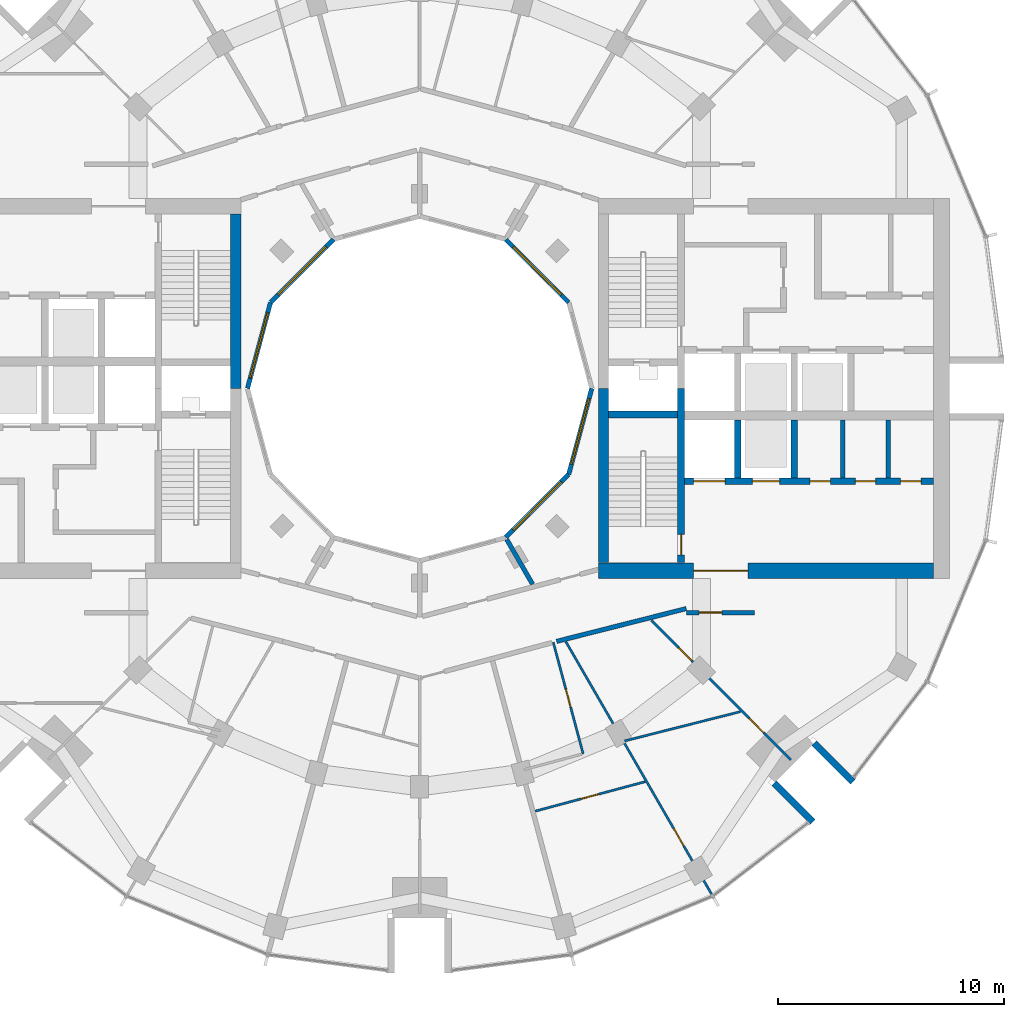
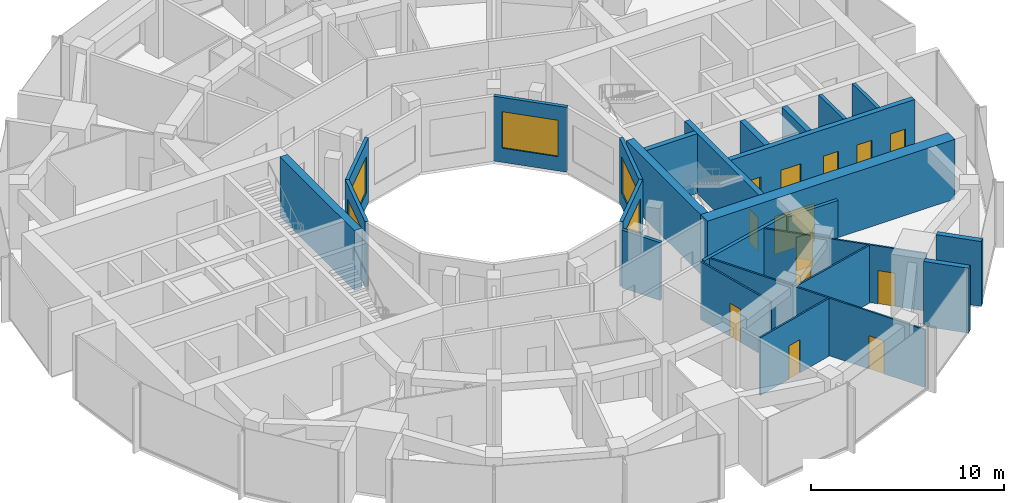
# One storey, part 10 of 15: 25 walls, 13 doors, 5 windows, 18 openings.
"""IFC4 building model written with IfcOpenShell, lengths in metres."""

import ifcopenshell
import ifcopenshell.guid

model = None  # the IFC model being written
_history = None  # IfcOwnerHistory: only IFC2X3 demands one
_inside = {}  # id of a spatial element -> (the spatial element, [elements in it])
_under = {}  # id of a project, library or spatial element -> (it, [spatial elements below it])
_declared = {}  # id of a project -> (the project, [libraries it declares])
_typed = {}  # id of a type object -> (the type object, [elements of that type])
_made_of = {}  # id of a material, layer set ... -> (it, [elements and type objects made of it])


def new_model(schema):
    """Start an empty IFC model of exactly this schema.

    Asked for "IFC4X3", IfcOpenShell would pick the latest addendum, in which some entities
    have other attributes; the version numbers below select the first issue.
    IFC2X3 requires an IfcOwnerHistory on every rooted entity: one is made here for all.
    """
    global model, _history
    if schema == "IFC4X3":
        model = ifcopenshell.file(schema_version=(4, 3, 0, 0))
    else:
        model = ifcopenshell.file(schema=schema)
    _inside.clear()
    _under.clear()
    _declared.clear()
    _typed.clear()
    _made_of.clear()
    _history = None
    if model.schema == "IFC2X3":
        org = make("IfcOrganization", Name="unknown")
        user = make(
            "IfcPersonAndOrganization",
            ThePerson=make("IfcPerson", FamilyName="unknown"),
            TheOrganization=org,
        )
        app = make(
            "IfcApplication",
            ApplicationDeveloper=org,
            Version="unknown",
            ApplicationFullName="unknown",
            ApplicationIdentifier="unknown",
        )
        _history = make(
            "IfcOwnerHistory",
            OwningUser=user,
            OwningApplication=app,
            ChangeAction="ADDED",
            CreationDate=0,
        )
    return model


def make(cls, **values):
    """One entity of the class cls with the attributes given. An attribute that is None is left unset."""
    return model.create_entity(
        cls, **{name: value for name, value in values.items() if value is not None}
    )


def rooted(cls, **values):
    """An entity with a GlobalId (a new one), such as an element, a storey or a relation."""
    return make(cls, GlobalId=ifcopenshell.guid.new(), OwnerHistory=_history, **values)


def si_unit(unit_type, name, prefix=None):
    """IfcSIUnit, for example si_unit("LENGTHUNIT", "METRE", prefix="MILLI")."""
    return make("IfcSIUnit", UnitType=unit_type, Prefix=prefix, Name=name)


def assignment(units):
    """IfcUnitAssignment: the units of a project."""
    return None if units is None else make("IfcUnitAssignment", Units=units)


def point(xyz):
    """IfcCartesianPoint."""
    return None if xyz is None else make("IfcCartesianPoint", Coordinates=xyz)


def direction(xyz):
    """IfcDirection."""
    return None if xyz is None else make("IfcDirection", DirectionRatios=xyz)


def frame(location, z_axis=None, x_axis=None):
    """IfcAxis2Placement3D, a coordinate frame: its origin and axes. An axis left out is left unset."""
    return make(
        "IfcAxis2Placement3D",
        Location=point(location),
        Axis=direction(z_axis),
        RefDirection=direction(x_axis),
    )


def frame_2d(location, x_axis=None):
    """IfcAxis2Placement2D, a coordinate frame in the plane: its origin and x axis."""
    return make(
        "IfcAxis2Placement2D", Location=point(location), RefDirection=direction(x_axis)
    )


def origin():
    """The frame at (0, 0, 0) with its axes left unset."""
    return frame((0.0, 0.0, 0.0))


def place(relative_to, where):
    """IfcLocalPlacement: puts the frame where relative to a parent placement (None: the world)."""
    return make(
        "IfcLocalPlacement", PlacementRelTo=relative_to, RelativePlacement=where
    )


def context(
    kind, dimensions, precision=None, world=None, true_north=None, identifier=None
):
    """IfcGeometricRepresentationContext, for example the 3D "Model" context."""
    return make(
        "IfcGeometricRepresentationContext",
        ContextIdentifier=identifier,
        ContextType=kind,
        CoordinateSpaceDimension=dimensions,
        Precision=precision,
        WorldCoordinateSystem=world,
        TrueNorth=true_north,
    )


def subcontext(parent, identifier, kind, view, scale=None):
    """IfcGeometricRepresentationSubContext, for example "Body" below "Model"."""
    return make(
        "IfcGeometricRepresentationSubContext",
        ContextIdentifier=identifier,
        ContextType=kind,
        ParentContext=parent,
        TargetScale=scale,
        TargetView=view,
    )


def project(units=None, contexts=None):
    """IfcProject with its units and contexts."""
    return rooted(
        "IfcProject",
        Name="project",
        RepresentationContexts=contexts,
        UnitsInContext=assignment(units),
    )


def spatial(cls, under=None, at=None, **own):
    """A site, building, storey or space (cls), placed at a placement, below another one or the project."""
    s = rooted(cls, ObjectPlacement=at, **own)
    if under is not None:
        _under.setdefault(under.id(), (under, []))[1].append(s)
    return s


def profile(cls, at=None, kind="AREA", **sizes):
    """A parametric profile (cls). Its sizes go by their IFC names, for example OverallWidth=200.0."""
    return make(cls, ProfileType=kind, Position=at, **sizes)


def rectangle(**sizes):
    """IfcRectangleProfileDef."""
    return profile("IfcRectangleProfileDef", **sizes)


def extrude(swept, where, along, depth):
    """IfcExtrudedAreaSolid: the profile swept, set in the frame where, extruded along a direction by depth."""
    return make(
        "IfcExtrudedAreaSolid",
        SweptArea=swept,
        Position=where,
        ExtrudedDirection=direction(along),
        Depth=depth,
    )


def shape(context_of_items, identifier, shape_type, items):
    """IfcShapeRepresentation: the items that make up one representation, for example the "Body"."""
    return make(
        "IfcShapeRepresentation",
        ContextOfItems=context_of_items,
        RepresentationIdentifier=identifier,
        RepresentationType=shape_type,
        Items=items,
    )


def material(Name=None, Category=None):
    """IfcMaterial."""
    return make("IfcMaterial", Name=Name, Category=Category)


def layer(
    of_material, thickness, ventilated=None, Name=None, Category=None, Priority=None
):
    """IfcMaterialLayer: one layer of a wall or slab, of a material (None: an air gap)."""
    return make(
        "IfcMaterialLayer",
        Material=of_material,
        LayerThickness=thickness,
        IsVentilated=ventilated,
        Name=Name,
        Category=Category,
        Priority=Priority,
    )


def layer_set(layers, Name=None):
    """IfcMaterialLayerSet."""
    return make("IfcMaterialLayerSet", MaterialLayers=layers, LayerSetName=Name)


def made_of(thing, what):
    """Note that an element or type object is made of a material, layer set ...; save() writes the relation."""
    if what is not None:
        _made_of.setdefault(what.id(), (what, []))[1].append(thing)
    return thing


def type_object(cls, material=None, **own):
    """A type object (cls), such as IfcWallType, which elements share."""
    return made_of(rooted(cls, **own), material)


def element(
    cls,
    number,
    at=None,
    inside=None,
    cuts=None,
    type_object=None,
    material=None,
    context=None,
    identifier="Body",
    shape_type=None,
    held_by="IfcProductDefinitionShape",
    body=None,
    shapes=None,
    **own,
):
    """One element of the class cls, such as IfcWall. Its Tag is "e" and its number.

    at: its placement. inside: the storey or other place that contains it. cuts: it is an
    opening in that element (IfcRelVoidsElement). A single representation is given by context,
    identifier, shape_type and body (its items); several are given by shapes. held_by: the class
    of the entity that holds the representations. save() writes the other relations.
    """
    e = rooted(cls, Tag="e%d" % number, ObjectPlacement=at, **own)
    if body is not None:
        shapes = [shape(context, identifier, shape_type, body)]
    if shapes is not None:
        e.Representation = make(held_by, Representations=shapes)
    if inside is not None:
        _inside.setdefault(inside.id(), (inside, []))[1].append(e)
    if cuts is not None:
        rooted(
            "IfcRelVoidsElement", RelatingBuildingElement=cuts, RelatedOpeningElement=e
        )
    if type_object is not None:
        _typed.setdefault(type_object.id(), (type_object, []))[1].append(e)
    return made_of(e, material)


def fill(opening, filler):
    """IfcRelFillsElement: the door or window that sits in an opening."""
    return rooted(
        "IfcRelFillsElement",
        RelatingOpeningElement=opening,
        RelatedBuildingElement=filler,
    )


def aggregate(whole, parts):
    """IfcRelAggregates: a whole, such as a stair, and the parts it consists of."""
    return rooted("IfcRelAggregates", RelatingObject=whole, RelatedObjects=parts)


def save(model, path):
    """Write the relations noted so far, then the file.

    IfcRelAggregates (storeys below a building ...), IfcRelContainedInSpatialStructure (elements
    in a storey), IfcRelDefinesByType, IfcRelAssociatesMaterial and IfcRelDeclares: one each for
    every whole, place, type object, material and project.
    """
    for whole, parts in _under.values():
        aggregate(whole, parts)
    for where, things in _inside.values():
        rooted(
            "IfcRelContainedInSpatialStructure",
            RelatedElements=things,
            RelatingStructure=where,
        )
    for kind, things in _typed.values():
        rooted("IfcRelDefinesByType", RelatedObjects=things, RelatingType=kind)
    for what, things in _made_of.values():
        rooted("IfcRelAssociatesMaterial", RelatedObjects=things, RelatingMaterial=what)
    for by, libraries in _declared.values():
        rooted("IfcRelDeclares", RelatingContext=by, RelatedDefinitions=libraries)
    model.write(path)


model = new_model("IFC4")

# Units and contexts
model_context = context("Model", 3, precision=1e-05, world=origin(), true_north=direction((0.0, 1.0)))
body_context = subcontext(model_context, "Body", "Model", "MODEL_VIEW")
ifc_project = project(units=[si_unit("LENGTHUNIT", "METRE"), si_unit("AREAUNIT", "SQUARE_METRE"), si_unit("VOLUMEUNIT", "CUBIC_METRE"), si_unit("PLANEANGLEUNIT", "RADIAN"), si_unit("MASSUNIT", "GRAM", prefix="KILO")], contexts=[model_context])

# Site, building, storey
site_placement = place(None, origin())
site = spatial("IfcSite", under=ifc_project, at=site_placement, CompositionType="ELEMENT")
building_placement = place(site_placement, origin())
building = spatial("IfcBuilding", under=site, at=building_placement, Name="Torre Brocal", CompositionType="ELEMENT")
storey_placement = place(building_placement, frame((0.0, 0.0, 190.5)))
storey = spatial("IfcBuildingStorey", under=building, at=storey_placement, Name="L44", CompositionType="ELEMENT", Elevation=190.5)

# Walls
ifc_material_1 = material(Name="Masonry block", Category="masonry")
ifc_layer_1 = layer(ifc_material_1, 0.199951171875)
ifc_layer_set_1 = layer_set([ifc_layer_1], Name="Masonry block")
wall_type_1 = type_object("IfcWallType", Name="CORE PARTITION 200", PredefinedType="PARTITIONING", material=ifc_layer_set_1)
for number, where, z_axis, x_axis, name in (
    (1, (98.699951171875, 71.050048828125, 0.0), (0.0, 0.0, 1.0), (0.0, 1.0, 0.0), "Wall CP200"),
    (2, (100.699951171875, 71.050048828125, 0.0), (0.0, 0.0, 1.0), (0.0, 1.0, 0.0), "Wall CP200"),
):
    element("IfcWall", number, at=place(storey_placement, frame(where, z_axis=z_axis, x_axis=x_axis)), inside=storey, type_object=wall_type_1, Name=name, PredefinedType="PARTITIONING", context=body_context, shape_type="SweptSolid", body=[
        extrude(rectangle(XDim=2.550048828125, YDim=0.199951171875, at=frame_2d((1.27490234375, 0.0))), origin(), (0.0, 0.0, 1.0), 3.780029296875),
    ])

# Wall, opening, door
ifc_material_2 = material(Name="Concrete C70", Category="concrete")
ifc_layer_2 = layer(ifc_material_2, 0.300048828125)
ifc_layer_set_2 = layer_set([ifc_layer_2], Name="Concrete C70")
wall_type_2 = type_object("IfcWallType", Name="CORE WALL 300 C70", PredefinedType="SHEAR", material=ifc_layer_set_2)
wall_1_placement = place(storey_placement, frame((91.550048828125, 67.300048828125, 0.0), z_axis=(0.0, 0.0, 1.0), x_axis=(0.0, 1.0, 0.0)))
wall_1 = element("IfcWall", 3, at=wall_1_placement, inside=storey, type_object=wall_type_2, Name="Wall CW300-70", PredefinedType="SHEAR", context=body_context, shape_type="SweptSolid", body=[
    extrude(rectangle(XDim=7.699951171875, YDim=0.300048828125, at=frame_2d((3.85009765625, 0.0))), origin(), (0.0, 0.0, 1.0), 3.780029296875),
])
opening_1_placement = place(wall_1_placement, frame((0.35009765625, 0.0, 0.0)))
opening_1 = element("IfcOpeningElement", 4, at=opening_1_placement, cuts=wall_1, Name="Opening E-D03", PredefinedType="OPENING", context=body_context, shape_type="SweptSolid", body=[
    extrude(rectangle(XDim=0.89990234375, YDim=2.10009765625, at=frame_2d((0.449951171875, 1.050048828125))), frame((0.0, 0.159912109375, 0.0), z_axis=(0.0, -1.0, 0.0), x_axis=(1.0, 0.0, 0.0)), (0.0, 0.0, 1.0), 0.320068359375),
])
ifc_material_3 = material(Name="Steel A653", Category="steel")
door_type_1 = type_object("IfcDoorType", Name="STAIR DOOR FD120 900X2100", OperationType="SINGLE_SWING_RIGHT", PredefinedType="DOOR", material=ifc_material_3)
door_1_placement = place(opening_1_placement, origin())
door_1 = element("IfcDoor", 5, at=door_1_placement, inside=storey, type_object=door_type_1, Name="Door E-D03", OperationType="SINGLE_SWING_LEFT", OverallHeight=2.10009765625, OverallWidth=0.89990234375, PredefinedType="DOOR", context=body_context, shape_type="SweptSolid", body=[
    extrude(rectangle(XDim=0.89990234375, YDim=2.10009765625, at=frame_2d((0.449951171875, 1.050048828125))), frame((0.0, 0.02490234375, 0.0), z_axis=(0.0, -1.0, 0.0), x_axis=(1.0, 0.0, 0.0)), (0.0, 0.0, 1.0), 0.050048828125),
])
fill(opening_1, door_1)

# Wall
wall_2_placement = place(storey_placement, frame((88.35009765625, 73.85009765625, 0.0), z_axis=(0.0, 0.0, 1.0), x_axis=(1.0, 0.0, 0.0)))
element("IfcWall", 6, at=wall_2_placement, inside=storey, type_object=wall_type_2, Name="Wall CW300-70", PredefinedType="SHEAR", context=body_context, shape_type="SweptSolid", body=[
    extrude(rectangle(XDim=3.0498046875, YDim=0.300048828125, at=frame_2d((1.52490234375, 0.0))), origin(), (0.0, 0.0, 1.0), 3.780029296875),
])

# Wall, openings, doors
wall_3_placement = place(storey_placement, frame((91.699951171875, 70.89990234375, 0.0), z_axis=(0.0, 0.0, 1.0), x_axis=(1.0, 0.0, 0.0)))
wall_3 = element("IfcWall", 7, at=wall_3_placement, inside=storey, type_object=wall_type_2, Name="Wall CW300-70", PredefinedType="SHEAR", context=body_context, shape_type="SweptSolid", body=[
    extrude(rectangle(XDim=11.0, YDim=0.300048828125, at=frame_2d((5.5, 0.0))), origin(), (0.0, 0.0, 1.0), 3.780029296875),
])
opening_2_placement = place(wall_3_placement, frame((0.39990234375, 0.0, 0.0)))
opening_2 = element("IfcOpeningElement", 8, at=opening_2_placement, cuts=wall_3, Name="Opening LD14", PredefinedType="OPENING", context=body_context, shape_type="SweptSolid", body=[
    extrude(rectangle(XDim=1.39990234375, YDim=2.10009765625, at=frame_2d((0.699951171875, 1.050048828125))), frame((0.0, 0.159912109375, 0.0), z_axis=(0.0, -1.0, 0.0), x_axis=(1.0, 0.0, 0.0)), (0.0, 0.0, 1.0), 0.320068359375),
])
opening_3_placement = place(wall_3_placement, frame((3.0, 0.0, 0.0)))
opening_3 = element("IfcOpeningElement", 9, at=opening_3_placement, cuts=wall_3, Name="Opening LD12", PredefinedType="OPENING", context=body_context, shape_type="SweptSolid", body=[
    extrude(rectangle(XDim=1.199951171875, YDim=2.10009765625, at=frame_2d((0.60009765625, 1.050048828125))), frame((0.0, 0.159912109375, 0.0), z_axis=(0.0, -1.0, 0.0), x_axis=(1.0, 0.0, 0.0)), (0.0, 0.0, 1.0), 0.320068359375),
])
opening_4_placement = place(wall_3_placement, frame((5.550048828125, 0.0, 0.0)))
opening_4 = element("IfcOpeningElement", 10, at=opening_4_placement, cuts=wall_3, Name="Opening E-D05", PredefinedType="OPENING", context=body_context, shape_type="SweptSolid", body=[
    extrude(rectangle(XDim=0.89990234375, YDim=2.10009765625, at=frame_2d((0.449951171875, 1.050048828125))), frame((0.0, 0.159912109375, 0.0), z_axis=(0.0, -1.0, 0.0), x_axis=(1.0, 0.0, 0.0)), (0.0, 0.0, 1.0), 0.320068359375),
])
opening_5_placement = place(wall_3_placement, frame((7.550048828125, 0.0, 0.0)))
opening_5 = element("IfcOpeningElement", 11, at=opening_5_placement, cuts=wall_3, Name="Opening E-D06", PredefinedType="OPENING", context=body_context, shape_type="SweptSolid", body=[
    extrude(rectangle(XDim=0.89990234375, YDim=2.10009765625, at=frame_2d((0.449951171875, 1.050048828125))), frame((0.0, 0.159912109375, 0.0), z_axis=(0.0, -1.0, 0.0), x_axis=(1.0, 0.0, 0.0)), (0.0, 0.0, 1.0), 0.320068359375),
])
opening_6_placement = place(wall_3_placement, frame((9.550048828125, 0.0, 0.0)))
opening_6 = element("IfcOpeningElement", 12, at=opening_6_placement, cuts=wall_3, Name="Opening E-D07", PredefinedType="OPENING", context=body_context, shape_type="SweptSolid", body=[
    extrude(rectangle(XDim=0.89990234375, YDim=2.10009765625, at=frame_2d((0.449951171875, 1.050048828125))), frame((0.0, 0.159912109375, 0.0), z_axis=(0.0, -1.0, 0.0), x_axis=(1.0, 0.0, 0.0)), (0.0, 0.0, 1.0), 0.320068359375),
])
ifc_material_4 = material(Name="Stainless steel AISI 316", Category="steel")
door_type_2 = type_object("IfcDoorType", Name="LIFT LANDING DOOR 1200X2100", OperationType="DOUBLE_DOOR_SLIDING", PredefinedType="DOOR", material=ifc_material_4)
door_2_placement = place(opening_3_placement, origin())
door_2 = element("IfcDoor", 13, at=door_2_placement, inside=storey, type_object=door_type_2, Name="Door LD12", OperationType="DOUBLE_DOOR_SLIDING", OverallHeight=2.10009765625, OverallWidth=1.199951171875, PredefinedType="DOOR", context=body_context, shape_type="SweptSolid", body=[
    extrude(rectangle(XDim=1.199951171875, YDim=2.10009765625, at=frame_2d((0.60009765625, 1.050048828125))), frame((0.0, 0.02490234375, 0.0), z_axis=(0.0, -1.0, 0.0), x_axis=(1.0, 0.0, 0.0)), (0.0, 0.0, 1.0), 0.050048828125),
])
fill(opening_3, door_2)
ifc_material_5 = material(Name="Stainless steel AISI 316", Category="steel")
door_type_3 = type_object("IfcDoorType", Name="LIFT LANDING DOOR 1400X2100", OperationType="DOUBLE_DOOR_SLIDING", PredefinedType="DOOR", material=ifc_material_5)
door_3_placement = place(opening_2_placement, origin())
door_3 = element("IfcDoor", 14, at=door_3_placement, inside=storey, type_object=door_type_3, Name="Door LD14", OperationType="DOUBLE_DOOR_SLIDING", OverallHeight=2.10009765625, OverallWidth=1.39990234375, PredefinedType="DOOR", context=body_context, shape_type="SweptSolid", body=[
    extrude(rectangle(XDim=1.39990234375, YDim=2.10009765625, at=frame_2d((0.699951171875, 1.050048828125))), frame((0.0, 0.02490234375, 0.0), z_axis=(0.0, -1.0, 0.0), x_axis=(1.0, 0.0, 0.0)), (0.0, 0.0, 1.0), 0.050048828125),
])
fill(opening_2, door_3)
ifc_material_6 = material(Name="Steel A653", Category="steel")
door_type_4 = type_object("IfcDoorType", Name="ROOM DOOR FD30S 900X2100", OperationType="SINGLE_SWING_LEFT", PredefinedType="DOOR", material=ifc_material_6)
door_4_placement = place(opening_4_placement, origin())
door_4 = element("IfcDoor", 15, at=door_4_placement, inside=storey, type_object=door_type_4, Name="Door E-D05", OperationType="SINGLE_SWING_RIGHT", OverallHeight=2.10009765625, OverallWidth=0.89990234375, PredefinedType="DOOR", context=body_context, shape_type="SweptSolid", body=[
    extrude(rectangle(XDim=0.89990234375, YDim=2.10009765625, at=frame_2d((0.449951171875, 1.050048828125))), frame((0.0, 0.02490234375, 0.0), z_axis=(0.0, -1.0, 0.0), x_axis=(1.0, 0.0, 0.0)), (0.0, 0.0, 1.0), 0.050048828125),
])
fill(opening_4, door_4)
door_5_placement = place(opening_5_placement, origin())
door_5 = element("IfcDoor", 16, at=door_5_placement, inside=storey, type_object=door_type_4, Name="Door E-D06", OperationType="SINGLE_SWING_LEFT", OverallHeight=2.10009765625, OverallWidth=0.89990234375, PredefinedType="DOOR", context=body_context, shape_type="SweptSolid", body=[
    extrude(rectangle(XDim=0.89990234375, YDim=2.10009765625, at=frame_2d((0.449951171875, 1.050048828125))), frame((0.0, 0.02490234375, 0.0), z_axis=(0.0, -1.0, 0.0), x_axis=(1.0, 0.0, 0.0)), (0.0, 0.0, 1.0), 0.050048828125),
])
fill(opening_5, door_5)
door_6_placement = place(opening_6_placement, origin())
door_6 = element("IfcDoor", 17, at=door_6_placement, inside=storey, type_object=door_type_4, Name="Door E-D07", OperationType="SINGLE_SWING_LEFT", OverallHeight=2.10009765625, OverallWidth=0.89990234375, PredefinedType="DOOR", context=body_context, shape_type="SweptSolid", body=[
    extrude(rectangle(XDim=0.89990234375, YDim=2.10009765625, at=frame_2d((0.449951171875, 1.050048828125))), frame((0.0, 0.02490234375, 0.0), z_axis=(0.0, -1.0, 0.0), x_axis=(1.0, 0.0, 0.0)), (0.0, 0.0, 1.0), 0.050048828125),
])
fill(opening_6, door_6)

# Walls
for number, where, z_axis, x_axis, name in (
    (18, (94.050048828125, 71.050048828125, 0.0), (0.0, 0.0, 1.0), (0.0, 1.0, 0.0), "Wall CW300-70"),
    (19, (96.550048828125, 71.050048828125, 0.0), (0.0, 0.0, 1.0), (0.0, 1.0, 0.0), "Wall CW300-70"),
):
    element("IfcWall", number, at=place(storey_placement, frame(where, z_axis=z_axis, x_axis=x_axis)), inside=storey, type_object=wall_type_2, Name=name, PredefinedType="SHEAR", context=body_context, shape_type="SweptSolid", body=[
        extrude(rectangle(XDim=2.550048828125, YDim=0.300048828125, at=frame_2d((1.27490234375, 0.0))), origin(), (0.0, 0.0, 1.0), 3.780029296875),
    ])
ifc_material_7 = material(Name="Concrete C70", Category="concrete")
ifc_layer_3 = layer(ifc_material_7, 0.449951171875)
ifc_layer_set_3 = layer_set([ifc_layer_3], Name="Concrete C70")
wall_type_3 = type_object("IfcWallType", Name="CORE WALL 450 C70", PredefinedType="SHEAR", material=ifc_layer_set_3)
for number, where, z_axis, x_axis, name in (
    (20, (88.125, 67.300048828125, 0.0), (0.0, 0.0, 1.0), (0.0, 1.0, 0.0), "Wall CW450-70"),
    (21, (71.875, 82.699951171875, 0.0), (0.0, 0.0, 1.0), (0.0, -1.0, 0.0), "Wall CW450-70"),
):
    element("IfcWall", number, at=place(storey_placement, frame(where, z_axis=z_axis, x_axis=x_axis)), inside=storey, type_object=wall_type_3, Name=name, PredefinedType="SHEAR", context=body_context, shape_type="SweptSolid", body=[
        extrude(rectangle(XDim=7.699951171875, YDim=0.449951171875, at=frame_2d((3.85009765625, 0.0))), origin(), (0.0, 0.0, 1.0), 3.780029296875),
    ])

# Wall, opening, door
ifc_material_8 = material(Name="Concrete C70", Category="concrete")
ifc_layer_4 = layer(ifc_material_8, 0.699951171875)
ifc_layer_set_4 = layer_set([ifc_layer_4], Name="Concrete C70")
wall_type_4 = type_object("IfcWallType", Name="CORE WALL 700 C70", PredefinedType="SHEAR", material=ifc_layer_set_4)
wall_4_placement = place(storey_placement, frame((87.89990234375, 66.949951171875, 0.0), z_axis=(0.0, 0.0, 1.0), x_axis=(1.0, 0.0, 0.0)))
wall_4 = element("IfcWall", 22, at=wall_4_placement, inside=storey, type_object=wall_type_4, Name="Wall CW700-70", PredefinedType="SHEAR", context=body_context, shape_type="SweptSolid", body=[
    extrude(rectangle(XDim=14.800048828125, YDim=0.699951171875, at=frame_2d((7.39990234375, 0.0))), origin(), (0.0, 0.0, 1.0), 3.780029296875),
])
opening_7_placement = place(wall_4_placement, frame((4.199951171875, 0.0, 0.0)))
opening_7 = element("IfcOpeningElement", 23, at=opening_7_placement, cuts=wall_4, Name="Opening E-D12", PredefinedType="OPENING", context=body_context, shape_type="SweptSolid", body=[
    extrude(rectangle(XDim=2.39990234375, YDim=2.39990234375, at=frame_2d((1.199951171875, 1.199951171875))), frame((0.0, 0.35986328125, 0.0), z_axis=(0.0, -1.0, 0.0), x_axis=(1.0, 0.0, 0.0)), (0.0, 0.0, 1.0), 0.719970703125),
])
ifc_material_9 = material(Name="Steel A653", Category="steel")
door_type_5 = type_object("IfcDoorType", Name="DOUBLE FIRE DOOR FD90 2400X2400", OperationType="DOUBLE_DOOR_SINGLE_SWING", PredefinedType="DOOR", material=ifc_material_9)
door_7_placement = place(opening_7_placement, origin())
door_7 = element("IfcDoor", 24, at=door_7_placement, inside=storey, type_object=door_type_5, Name="Door E-D12", OperationType="DOUBLE_DOOR_SINGLE_SWING", OverallHeight=2.39990234375, OverallWidth=2.39990234375, PredefinedType="DOOR", context=body_context, shape_type="SweptSolid", body=[
    extrude(rectangle(XDim=2.39990234375, YDim=2.39990234375, at=frame_2d((1.199951171875, 1.199951171875))), frame((0.0, 0.02490234375, 0.0), z_axis=(0.0, -1.0, 0.0), x_axis=(1.0, 0.0, 0.0)), (0.0, 0.0, 1.0), 0.050048828125),
])
fill(opening_7, door_7)

# Walls
ifc_material_10 = material(Name="Concrete C70", Category="concrete")
ifc_layer_5 = layer(ifc_material_10, 0.300048828125)
ifc_layer_set_5 = layer_set([ifc_layer_5], Name="Concrete C70")
wall_type_5 = type_object("IfcWallType", Name="NOTCH RETURN WALL 300 C70", PredefinedType="NOTDEFINED", material=ifc_layer_set_5)
for number, where, z_axis, x_axis, name in (
    (25, (95.662353515625, 57.56982421875, 0.0), (0.0, 0.0, 1.0), (0.707106781187, -0.707106781187, 0.0), "NOTCH RETURN WALL"),
    (26, (97.43017578125, 59.337646484375, 0.0), (0.0, 0.0, 1.0), (0.707106781187, -0.707106781187, 0.0), "NOTCH RETURN WALL"),
):
    element("IfcWall", number, at=place(storey_placement, frame(where, z_axis=z_axis, x_axis=x_axis)), inside=storey, type_object=wall_type_5, Name=name, PredefinedType="NOTDEFINED", context=body_context, shape_type="SweptSolid", body=[
        extrude(rectangle(XDim=2.415771484375, YDim=0.300048828125, at=frame_2d((1.2080078125, 0.0))), origin(), (0.0, 0.0, 1.0), 4.10009765625),
    ])

# Wall, opening, door
ifc_material_11 = material(Name="Gypsum board", Category="Gypsum")
ifc_layer_6 = layer(ifc_material_11, 0.10009765625)
ifc_layer_set_6 = layer_set([ifc_layer_6], Name="Gypsum board")
wall_type_6 = type_object("IfcWallType", Name="PARTITION 100", PredefinedType="PARTITIONING", material=ifc_layer_set_6)
wall_5_placement = place(storey_placement, frame((85.107666015625, 56.325927734375, 0.0), z_axis=(0.0, 0.0, 1.0), x_axis=(0.965919870225, 0.258841272413, 0.0)))
wall_5 = element("IfcWall", 27, at=wall_5_placement, inside=storey, type_object=wall_type_6, Name="BATHROOM WALL", PredefinedType="PARTITIONING", context=body_context, shape_type="SweptSolid", body=[
    extrude(rectangle(XDim=5.02734375, YDim=0.10009765625, at=frame_2d((2.513671875, 0.0))), origin(), (0.0, 0.0, 1.0), 3.64990234375),
])
opening_8_placement = place(wall_5_placement, frame((2.093994140625, 0.0, 0.0)))
opening_8 = element("IfcOpeningElement", 28, at=opening_8_placement, cuts=wall_5, Name="Opening R03-D26", PredefinedType="OPENING", context=body_context, shape_type="SweptSolid", body=[
    extrude(rectangle(XDim=0.800048828125, YDim=2.10009765625, at=frame_2d((0.39990234375, 1.050048828125))), frame((0.0, 0.06005859375, 0.0), z_axis=(0.0, -1.0, 0.0), x_axis=(1.0, 0.0, 0.0)), (0.0, 0.0, 1.0), 0.1201171875),
])
ifc_material_12 = material(Name="Timber", Category="wood")
door_type_6 = type_object("IfcDoorType", Name="BATHROOM DOOR 800X2100", OperationType="SINGLE_SWING_LEFT", PredefinedType="DOOR", material=ifc_material_12)
door_8_placement = place(opening_8_placement, frame((0.800048828125, 0.0, 0.0), z_axis=(0.0, 0.0, 1.0), x_axis=(-1.0, 0.0, 0.0)))
door_8 = element("IfcDoor", 29, at=door_8_placement, inside=storey, type_object=door_type_6, Name="R03-D26", OperationType="SINGLE_SWING_RIGHT", OverallHeight=2.10009765625, OverallWidth=0.800048828125, PredefinedType="DOOR", context=body_context, shape_type="SweptSolid", body=[
    extrude(rectangle(XDim=0.800048828125, YDim=2.10009765625, at=frame_2d((0.39990234375, 1.050048828125))), frame((0.0, 0.02490234375, 0.0), z_axis=(0.0, -1.0, 0.0), x_axis=(1.0, 0.0, 0.0)), (0.0, 0.0, 1.0), 0.050048828125),
])
fill(opening_8, door_8)

wall_6_placement = place(storey_placement, frame((85.904052734375, 63.785888671875, 0.0), z_axis=(0.0, 0.0, 1.0), x_axis=(0.258857329124, -0.965915567303, 0.0)))
wall_6 = element("IfcWall", 30, at=wall_6_placement, inside=storey, type_object=wall_type_6, Name="BATHROOM WALL", PredefinedType="PARTITIONING", context=body_context, shape_type="SweptSolid", body=[
    extrude(rectangle(XDim=5.099609375, YDim=0.10009765625, at=frame_2d((2.5498046875, 0.0))), origin(), (0.0, 0.0, 1.0), 3.64990234375),
])
opening_9_placement = place(wall_6_placement, frame((2.14990234375, 0.0, 0.0)))
opening_9 = element("IfcOpeningElement", 31, at=opening_9_placement, cuts=wall_6, Name="Opening R03-D25", PredefinedType="OPENING", context=body_context, shape_type="SweptSolid", body=[
    extrude(rectangle(XDim=0.800048828125, YDim=2.10009765625, at=frame_2d((0.39990234375, 1.050048828125))), frame((0.0, 0.06005859375, 0.0), z_axis=(0.0, -1.0, 0.0), x_axis=(1.0, 0.0, 0.0)), (0.0, 0.0, 1.0), 0.1201171875),
])
door_9_placement = place(opening_9_placement, frame((0.800048828125, 0.0, 0.0), z_axis=(0.0, 0.0, 1.0), x_axis=(-1.0, 0.0, 0.0)))
door_9 = element("IfcDoor", 32, at=door_9_placement, inside=storey, type_object=door_type_6, Name="R03-D25", OperationType="SINGLE_SWING_RIGHT", OverallHeight=2.10009765625, OverallWidth=0.800048828125, PredefinedType="DOOR", context=body_context, shape_type="SweptSolid", body=[
    extrude(rectangle(XDim=0.800048828125, YDim=2.10009765625, at=frame_2d((0.39990234375, 1.050048828125))), frame((0.0, 0.02490234375, 0.0), z_axis=(0.0, -1.0, 0.0), x_axis=(1.0, 0.0, 0.0)), (0.0, 0.0, 1.0), 0.050048828125),
])
fill(opening_9, door_9)

wall_7_placement = place(storey_placement, frame((86.46142578125, 63.810302734375, 0.0), z_axis=(0.0, 0.0, 1.0), x_axis=(0.499911751641, -0.866076348004, 0.0)))
wall_7 = element("IfcWall", 33, at=wall_7_placement, inside=storey, type_object=wall_type_6, Name="BATHROOM WALL", PredefinedType="PARTITIONING", context=body_context, shape_type="SweptSolid", body=[
    extrude(rectangle(XDim=12.876220703125, YDim=0.10009765625, at=frame_2d((6.43798828125, 0.0))), origin(), (0.0, 0.0, 1.0), 3.64990234375),
])
opening_10_placement = place(wall_7_placement, frame((9.513671875, 0.0, 0.0)))
opening_10 = element("IfcOpeningElement", 34, at=opening_10_placement, cuts=wall_7, Name="Opening R03-D24", PredefinedType="OPENING", context=body_context, shape_type="SweptSolid", body=[
    extrude(rectangle(XDim=0.89990234375, YDim=2.10009765625, at=frame_2d((0.449951171875, 1.050048828125))), frame((0.0, 0.06005859375, 0.0), z_axis=(0.0, -1.0, 0.0), x_axis=(1.0, 0.0, 0.0)), (0.0, 0.0, 1.0), 0.1201171875),
])
ifc_material_13 = material(Name="Timber", Category="wood")
door_type_7 = type_object("IfcDoorType", Name="ROOM DOOR 900X2100", OperationType="SINGLE_SWING_LEFT", PredefinedType="DOOR", material=ifc_material_13)
door_10_placement = place(opening_10_placement, origin())
door_10 = element("IfcDoor", 35, at=door_10_placement, inside=storey, type_object=door_type_7, Name="R03-D24", OperationType="SINGLE_SWING_RIGHT", OverallHeight=2.10009765625, OverallWidth=0.89990234375, PredefinedType="DOOR", context=body_context, shape_type="SweptSolid", body=[
    extrude(rectangle(XDim=0.89990234375, YDim=2.10009765625, at=frame_2d((0.449951171875, 1.050048828125))), frame((0.0, 0.02490234375, 0.0), z_axis=(0.0, -1.0, 0.0), x_axis=(1.0, 0.0, 0.0)), (0.0, 0.0, 1.0), 0.050048828125),
])
fill(opening_10, door_10)

# Wall
wall_8_placement = place(storey_placement, frame((89.0576171875, 59.4287109375, 0.0), z_axis=(0.0, 0.0, 1.0), x_axis=(0.96946321375, 0.2452367778, 0.0)))
element("IfcWall", 36, at=wall_8_placement, inside=storey, type_object=wall_type_6, Name="BATHROOM WALL", PredefinedType="PARTITIONING", context=body_context, shape_type="SweptSolid", body=[
    extrude(rectangle(XDim=5.272216796875, YDim=0.10009765625, at=frame_2d((2.63623046875, 0.0))), origin(), (0.0, 0.0, 1.0), 3.64990234375),
])

# Wall, openings, doors
wall_9_placement = place(storey_placement, frame((90.23583984375, 64.7578125, 0.0), z_axis=(0.0, 0.0, 1.0), x_axis=(0.706924769926, -0.707288745609, 0.0)))
wall_9 = element("IfcWall", 37, at=wall_9_placement, inside=storey, type_object=wall_type_6, Name="BATHROOM WALL", PredefinedType="PARTITIONING", context=body_context, shape_type="SweptSolid", body=[
    extrude(rectangle(XDim=8.719970703125, YDim=0.10009765625, at=frame_2d((4.35986328125, 0.0))), origin(), (0.0, 0.0, 1.0), 3.64990234375),
])
opening_11_placement = place(wall_9_placement, frame((6.114013671875, 0.0, 0.0)))
opening_11 = element("IfcOpeningElement", 38, at=opening_11_placement, cuts=wall_9, Name="Opening R03-D22", PredefinedType="OPENING", context=body_context, shape_type="SweptSolid", body=[
    extrude(rectangle(XDim=0.89990234375, YDim=2.10009765625, at=frame_2d((0.449951171875, 1.050048828125))), frame((0.0, 0.06005859375, 0.0), z_axis=(0.0, -1.0, 0.0), x_axis=(1.0, 0.0, 0.0)), (0.0, 0.0, 1.0), 0.1201171875),
])
opening_12_placement = place(wall_9_placement, frame((1.722412109375, 0.0, 0.0)))
opening_12 = element("IfcOpeningElement", 39, at=opening_12_placement, cuts=wall_9, Name="Opening R03-D23", PredefinedType="OPENING", context=body_context, shape_type="SweptSolid", body=[
    extrude(rectangle(XDim=0.800048828125, YDim=2.10009765625, at=frame_2d((0.39990234375, 1.050048828125))), frame((0.0, 0.06005859375, 0.0), z_axis=(0.0, -1.0, 0.0), x_axis=(1.0, 0.0, 0.0)), (0.0, 0.0, 1.0), 0.1201171875),
])
door_11_placement = place(opening_12_placement, frame((0.800048828125, 0.0, 0.0), z_axis=(0.0, 0.0, 1.0), x_axis=(-1.0, 0.0, 0.0)))
door_11 = element("IfcDoor", 40, at=door_11_placement, inside=storey, type_object=door_type_6, Name="R03-D23", OperationType="SINGLE_SWING_RIGHT", OverallHeight=2.10009765625, OverallWidth=0.800048828125, PredefinedType="DOOR", context=body_context, shape_type="SweptSolid", body=[
    extrude(rectangle(XDim=0.800048828125, YDim=2.10009765625, at=frame_2d((0.39990234375, 1.050048828125))), frame((0.0, 0.02490234375, 0.0), z_axis=(0.0, -1.0, 0.0), x_axis=(1.0, 0.0, 0.0)), (0.0, 0.0, 1.0), 0.050048828125),
])
fill(opening_12, door_11)
door_12_placement = place(opening_11_placement, origin())
door_12 = element("IfcDoor", 41, at=door_12_placement, inside=storey, type_object=door_type_7, Name="R03-D22", OperationType="SINGLE_SWING_RIGHT", OverallHeight=2.10009765625, OverallWidth=0.89990234375, PredefinedType="DOOR", context=body_context, shape_type="SweptSolid", body=[
    extrude(rectangle(XDim=0.89990234375, YDim=2.10009765625, at=frame_2d((0.449951171875, 1.050048828125))), frame((0.0, 0.02490234375, 0.0), z_axis=(0.0, -1.0, 0.0), x_axis=(1.0, 0.0, 0.0)), (0.0, 0.0, 1.0), 0.050048828125),
])
fill(opening_11, door_12)

# Walls
ifc_material_14 = material(Name="Gypsum board", Category="Gypsum")
ifc_layer_7 = layer(ifc_material_14, 0.199951171875)
ifc_layer_set_7 = layer_set([ifc_layer_7], Name="Gypsum board")
wall_type_7 = type_object("IfcWallType", Name="PARTITION 200 EI60", PredefinedType="PARTITIONING", material=ifc_layer_set_7)
wall_10_placement = place(storey_placement, frame((83.847412109375, 68.33203125, 0.0), z_axis=(0.0, 0.0, 1.0), x_axis=(0.499953638813, -0.866052168773, 0.0)))
element("IfcWall", 42, at=wall_10_placement, inside=storey, type_object=wall_type_7, Name="SERVICE ROOM WALL", PredefinedType="PARTITIONING", context=body_context, shape_type="SweptSolid", body=[
    extrude(rectangle(XDim=2.285400390625, YDim=0.199951171875, at=frame_2d((1.142578125, 0.0))), origin(), (0.0, 0.0, 1.0), 3.64990234375),
])
wall_11_placement = place(storey_placement, frame((86.052978515625, 63.826171875, 0.0), z_axis=(0.0, 0.0, 1.0), x_axis=(0.969490004987, 0.245130843083, 0.0)))
element("IfcWall", 43, at=wall_11_placement, inside=storey, type_object=wall_type_7, Name="FLAT ENTRANCE WALL", PredefinedType="PARTITIONING", context=body_context, shape_type="SweptSolid", body=[
    extrude(rectangle(XDim=5.907958984375, YDim=0.199951171875, at=frame_2d((2.9541015625, 0.0))), origin(), (0.0, 0.0, 1.0), 3.64990234375),
])

# Wall, opening, door
wall_12_placement = place(storey_placement, frame((91.800048828125, 65.10009765625, 0.0), z_axis=(0.0, 0.0, 1.0), x_axis=(1.0, 0.0, 0.0)))
wall_12 = element("IfcWall", 44, at=wall_12_placement, inside=storey, type_object=wall_type_7, Name="FLAT ENTRANCE WALL", PredefinedType="PARTITIONING", context=body_context, shape_type="SweptSolid", body=[
    extrude(rectangle(XDim=3.0, YDim=0.199951171875, at=frame_2d((1.5, 0.0))), origin(), (0.0, 0.0, 1.0), 3.64990234375),
])
opening_13_placement = place(wall_12_placement, frame((0.550048828125, 0.0, 0.0)))
opening_13 = element("IfcOpeningElement", 45, at=opening_13_placement, cuts=wall_12, Name="Opening R03-D21", PredefinedType="OPENING", context=body_context, shape_type="SweptSolid", body=[
    extrude(rectangle(XDim=1.0, YDim=2.10009765625, at=frame_2d((0.5, 1.050048828125))), frame((0.0, 0.10986328125, 0.0), z_axis=(0.0, -1.0, 0.0), x_axis=(1.0, 0.0, 0.0)), (0.0, 0.0, 1.0), 0.219970703125),
])
ifc_material_15 = material(Name="Timber", Category="wood")
door_type_8 = type_object("IfcDoorType", Name="FLAT ENTRY DOOR FD30S 1000X2100", OperationType="SINGLE_SWING_RIGHT", PredefinedType="DOOR", material=ifc_material_15)
door_13_placement = place(opening_13_placement, frame((1.0, 0.0, 0.0), z_axis=(0.0, 0.0, 1.0), x_axis=(-1.0, 0.0, 0.0)))
door_13 = element("IfcDoor", 46, at=door_13_placement, inside=storey, type_object=door_type_8, Name="R03-D21", OperationType="SINGLE_SWING_RIGHT", OverallHeight=2.10009765625, OverallWidth=1.0, PredefinedType="DOOR", context=body_context, shape_type="SweptSolid", body=[
    extrude(rectangle(XDim=1.0, YDim=2.10009765625, at=frame_2d((0.5, 1.050048828125))), frame((0.0, 0.02490234375, 0.0), z_axis=(0.0, -1.0, 0.0), x_axis=(1.0, 0.0, 0.0)), (0.0, 0.0, 1.0), 0.050048828125),
])
fill(opening_13, door_13)

# Wall, opening, window
ifc_material_16 = material(Name="Concrete C40", Category="concrete")
ifc_layer_8 = layer(ifc_material_16, 0.199951171875)
ifc_layer_set_8 = layer_set([ifc_layer_8], Name="Concrete C40")
wall_type_8 = type_object("IfcWallType", Name="WELL FACADE WALL 200", PredefinedType="NOTDEFINED", material=ifc_layer_set_8)
wall_13_placement = place(storey_placement, frame((86.5849609375, 78.8017578125, 0.0), z_axis=(0.0, 0.0, 1.0), x_axis=(-0.707106781187, 0.707106781187, 0.0)))
wall_13 = element("IfcWall", 47, at=wall_13_placement, inside=storey, type_object=wall_type_8, Name="WELL FACADE WALL", PredefinedType="NOTDEFINED", context=body_context, shape_type="SweptSolid", body=[
    extrude(rectangle(XDim=3.93603515625, YDim=0.199951171875, at=frame_2d((1.968017578125, 0.0))), origin(), (0.0, 0.0, 1.0), 4.10009765625),
])
opening_14_placement = place(wall_13_placement, frame((0.468017578125, 0.0, 0.89990234375)))
opening_14 = element("IfcOpeningElement", 48, at=opening_14_placement, cuts=wall_13, Name="Opening W1", PredefinedType="OPENING", context=body_context, shape_type="SweptSolid", body=[
    extrude(rectangle(XDim=3.0, YDim=2.300048828125, at=frame_2d((1.5, 1.14990234375))), frame((0.0, 0.10986328125, 0.0), z_axis=(0.0, -1.0, 0.0), x_axis=(1.0, 0.0, 0.0)), (0.0, 0.0, 1.0), 0.219970703125),
])
ifc_material_17 = material(Name="Aluminium and glass", Category="aluminium")
window_type = type_object("IfcWindowType", Name="WELL WINDOW 3000X2300", PartitioningType="SINGLE_PANEL", PredefinedType="WINDOW", material=ifc_material_17)
window_1_placement = place(opening_14_placement, origin())
window_1 = element("IfcWindow", 49, at=window_1_placement, inside=storey, type_object=window_type, Name="WELL WINDOW 3000X2300", OverallHeight=2.300048828125, OverallWidth=3.0, PartitioningType="SINGLE_PANEL", PredefinedType="WINDOW", context=body_context, shape_type="SweptSolid", body=[
    extrude(rectangle(XDim=3.0, YDim=2.300048828125, at=frame_2d((1.5, 1.14990234375))), frame((0.0, 0.030029296875, 0.0), z_axis=(0.0, -1.0, 0.0), x_axis=(1.0, 0.0, 0.0)), (0.0, 0.0, 1.0), 0.06005859375),
])
fill(opening_14, window_1)

wall_14_placement = place(storey_placement, frame((76.1982421875, 81.5849609375, 0.0), z_axis=(0.0, 0.0, 1.0), x_axis=(-0.707106781187, -0.707106781187, 0.0)))
wall_14 = element("IfcWall", 50, at=wall_14_placement, inside=storey, type_object=wall_type_8, Name="WELL FACADE WALL", PredefinedType="NOTDEFINED", context=body_context, shape_type="SweptSolid", body=[
    extrude(rectangle(XDim=3.93603515625, YDim=0.199951171875, at=frame_2d((1.968017578125, 0.0))), origin(), (0.0, 0.0, 1.0), 4.10009765625),
])
opening_15_placement = place(wall_14_placement, frame((0.468017578125, 0.0, 0.89990234375)))
opening_15 = element("IfcOpeningElement", 51, at=opening_15_placement, cuts=wall_14, Name="Opening W1", PredefinedType="OPENING", context=body_context, shape_type="SweptSolid", body=[
    extrude(rectangle(XDim=3.0, YDim=2.300048828125, at=frame_2d((1.5, 1.14990234375))), frame((0.0, 0.10986328125, 0.0), z_axis=(0.0, -1.0, 0.0), x_axis=(1.0, 0.0, 0.0)), (0.0, 0.0, 1.0), 0.219970703125),
])
window_2_placement = place(opening_15_placement, origin())
window_2 = element("IfcWindow", 52, at=window_2_placement, inside=storey, type_object=window_type, Name="WELL WINDOW 3000X2300", OverallHeight=2.300048828125, OverallWidth=3.0, PartitioningType="SINGLE_PANEL", PredefinedType="WINDOW", context=body_context, shape_type="SweptSolid", body=[
    extrude(rectangle(XDim=3.0, YDim=2.300048828125, at=frame_2d((1.5, 1.14990234375))), frame((0.0, 0.030029296875, 0.0), z_axis=(0.0, -1.0, 0.0), x_axis=(1.0, 0.0, 0.0)), (0.0, 0.0, 1.0), 0.06005859375),
])
fill(opening_15, window_2)

wall_15_placement = place(storey_placement, frame((73.4150390625, 78.8017578125, 0.0), z_axis=(0.0, 0.0, 1.0), x_axis=(-0.258789828301, -0.965933654434, 0.0)))
wall_15 = element("IfcWall", 53, at=wall_15_placement, inside=storey, type_object=wall_type_8, Name="WELL FACADE WALL", PredefinedType="NOTDEFINED", context=body_context, shape_type="SweptSolid", body=[
    extrude(rectangle(XDim=3.935791015625, YDim=0.199951171875, at=frame_2d((1.9677734375, 0.0))), origin(), (0.0, 0.0, 1.0), 4.10009765625),
])
opening_16_placement = place(wall_15_placement, frame((0.468017578125, 0.0, 0.89990234375)))
opening_16 = element("IfcOpeningElement", 54, at=opening_16_placement, cuts=wall_15, Name="Opening W1", PredefinedType="OPENING", context=body_context, shape_type="SweptSolid", body=[
    extrude(rectangle(XDim=3.0, YDim=2.300048828125, at=frame_2d((1.5, 1.14990234375))), frame((0.0, 0.10986328125, 0.0), z_axis=(0.0, -1.0, 0.0), x_axis=(1.0, 0.0, 0.0)), (0.0, 0.0, 1.0), 0.219970703125),
])
window_3_placement = place(opening_16_placement, origin())
window_3 = element("IfcWindow", 55, at=window_3_placement, inside=storey, type_object=window_type, Name="WELL WINDOW 3000X2300", OverallHeight=2.300048828125, OverallWidth=3.0, PartitioningType="SINGLE_PANEL", PredefinedType="WINDOW", context=body_context, shape_type="SweptSolid", body=[
    extrude(rectangle(XDim=3.0, YDim=2.300048828125, at=frame_2d((1.5, 1.14990234375))), frame((0.0, 0.030029296875, 0.0), z_axis=(0.0, -1.0, 0.0), x_axis=(1.0, 0.0, 0.0)), (0.0, 0.0, 1.0), 0.06005859375),
])
fill(opening_16, window_3)

wall_16_placement = place(storey_placement, frame((83.8017578125, 68.4150390625, 0.0), z_axis=(0.0, 0.0, 1.0), x_axis=(0.707106781187, 0.707106781187, 0.0)))
wall_16 = element("IfcWall", 56, at=wall_16_placement, inside=storey, type_object=wall_type_8, Name="WELL FACADE WALL", PredefinedType="NOTDEFINED", context=body_context, shape_type="SweptSolid", body=[
    extrude(rectangle(XDim=3.93603515625, YDim=0.199951171875, at=frame_2d((1.968017578125, 0.0))), origin(), (0.0, 0.0, 1.0), 4.10009765625),
])
opening_17_placement = place(wall_16_placement, frame((0.468017578125, 0.0, 0.89990234375)))
opening_17 = element("IfcOpeningElement", 57, at=opening_17_placement, cuts=wall_16, Name="Opening W1", PredefinedType="OPENING", context=body_context, shape_type="SweptSolid", body=[
    extrude(rectangle(XDim=3.0, YDim=2.300048828125, at=frame_2d((1.5, 1.14990234375))), frame((0.0, 0.10986328125, 0.0), z_axis=(0.0, -1.0, 0.0), x_axis=(1.0, 0.0, 0.0)), (0.0, 0.0, 1.0), 0.219970703125),
])
window_4_placement = place(opening_17_placement, origin())
window_4 = element("IfcWindow", 58, at=window_4_placement, inside=storey, type_object=window_type, Name="WELL WINDOW 3000X2300", OverallHeight=2.300048828125, OverallWidth=3.0, PartitioningType="SINGLE_PANEL", PredefinedType="WINDOW", context=body_context, shape_type="SweptSolid", body=[
    extrude(rectangle(XDim=3.0, YDim=2.300048828125, at=frame_2d((1.5, 1.14990234375))), frame((0.0, 0.030029296875, 0.0), z_axis=(0.0, -1.0, 0.0), x_axis=(1.0, 0.0, 0.0)), (0.0, 0.0, 1.0), 0.06005859375),
])
fill(opening_17, window_4)

wall_17_placement = place(storey_placement, frame((86.5849609375, 71.1982421875, 0.0), z_axis=(0.0, 0.0, 1.0), x_axis=(0.258789828301, 0.965933654434, 0.0)))
wall_17 = element("IfcWall", 59, at=wall_17_placement, inside=storey, type_object=wall_type_8, Name="WELL FACADE WALL", PredefinedType="NOTDEFINED", context=body_context, shape_type="SweptSolid", body=[
    extrude(rectangle(XDim=3.935791015625, YDim=0.199951171875, at=frame_2d((1.9677734375, 0.0))), origin(), (0.0, 0.0, 1.0), 4.10009765625),
])
opening_18_placement = place(wall_17_placement, frame((0.468017578125, 0.0, 0.89990234375)))
opening_18 = element("IfcOpeningElement", 60, at=opening_18_placement, cuts=wall_17, Name="Opening W1", PredefinedType="OPENING", context=body_context, shape_type="SweptSolid", body=[
    extrude(rectangle(XDim=3.0, YDim=2.300048828125, at=frame_2d((1.5, 1.14990234375))), frame((0.0, 0.10986328125, 0.0), z_axis=(0.0, -1.0, 0.0), x_axis=(1.0, 0.0, 0.0)), (0.0, 0.0, 1.0), 0.219970703125),
])
window_5_placement = place(opening_18_placement, origin())
window_5 = element("IfcWindow", 61, at=window_5_placement, inside=storey, type_object=window_type, Name="WELL WINDOW 3000X2300", OverallHeight=2.300048828125, OverallWidth=3.0, PartitioningType="SINGLE_PANEL", PredefinedType="WINDOW", context=body_context, shape_type="SweptSolid", body=[
    extrude(rectangle(XDim=3.0, YDim=2.300048828125, at=frame_2d((1.5, 1.14990234375))), frame((0.0, 0.030029296875, 0.0), z_axis=(0.0, -1.0, 0.0), x_axis=(1.0, 0.0, 0.0)), (0.0, 0.0, 1.0), 0.06005859375),
])
fill(opening_18, window_5)

save(model, "model.ifc")
